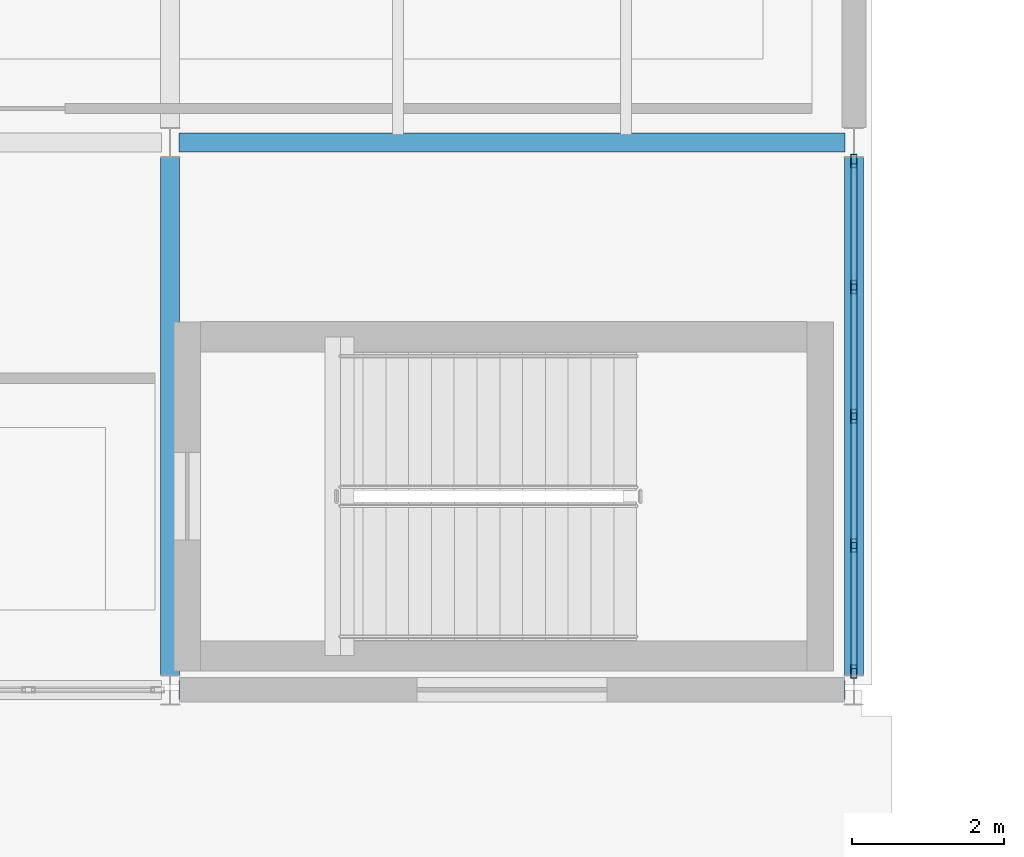
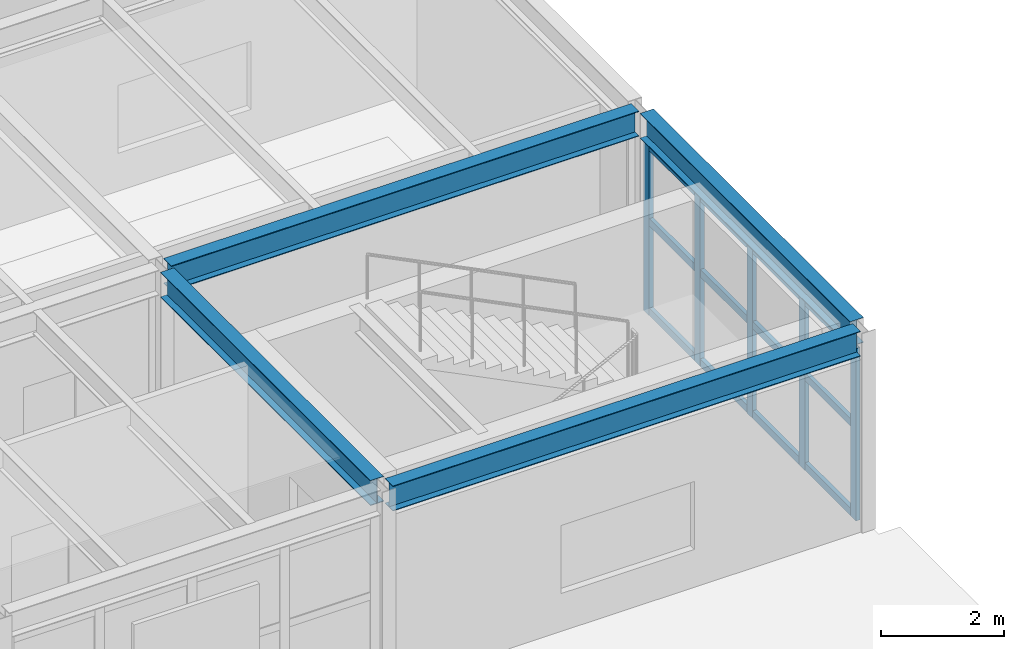
# One storey, part 20 of 37: 17 members, 4 beams, 1 element without a shape of its own.
"""IFC4 building model written with IfcOpenShell, lengths in metres."""

from ifc_helpers import new_model, si_unit, direction, frame, origin, origin_2d, place, context, subcontext, project, spatial, hollow_rectangle, i_section, extrude, material, layer, layer_set, material_profile, profile_set, type_object, element, aggregate, save


model = new_model("IFC4")

# Units and contexts
model_context = context("Model", 3, precision=1e-05, world=origin(), true_north=direction((0.0, 1.0)))
body_context = subcontext(model_context, "Body", "Model", "MODEL_VIEW")
ifc_project = project(units=[si_unit("LENGTHUNIT", "METRE"), si_unit("AREAUNIT", "SQUARE_METRE"), si_unit("VOLUMEUNIT", "CUBIC_METRE"), si_unit("PLANEANGLEUNIT", "RADIAN"), si_unit("MASSUNIT", "GRAM", prefix="KILO")], contexts=[model_context])

# Site, building, storey
site_placement = place(None, origin())
site = spatial("IfcSite", under=ifc_project, at=site_placement, CompositionType="ELEMENT")
building_placement = place(site_placement, origin())
building = spatial("IfcBuilding", under=site, at=building_placement, Name="Kandorven Conservatory and Botanical Research Centre", CompositionType="ELEMENT")
storey_placement = place(building_placement, frame((0.0, 0.0, 9.0)))
storey = spatial("IfcBuildingStorey", under=building, at=storey_placement, Name="L02", CompositionType="ELEMENT", Elevation=9.0)

# Beams
ifc_material_1 = material(Name="Steel S355 (IS 2062 E350)", Category="steel")
ifc_material_profile_1 = material_profile(ifc_material_1, i_section(OverallWidth=0.25, OverallDepth=0.5, WebThickness=0.010009765625, FlangeThickness=0.0146484375, at=origin_2d()))
ifc_profile_set_1 = profile_set([ifc_material_profile_1], Name="Steel S355 (IS 2062 E350)")
beam_type = type_object("IfcBeamType", Name="Beam_FG-02", PredefinedType="USERDEFINED", material=ifc_profile_set_1)
for number, where, z_axis, x_axis, name in (
    (1, (78.114990234375, 13.199951171875, 3.7099609375), (1.0, 0.0, 0.0), (0.0, 1.0, 0.0), "Primary girder FG-02 VIS L02"),
    (2, (78.114990234375, 20.39990234375, 3.7099609375), (1.0, 0.0, 0.0), (0.0, 1.0, 0.0), "Primary girder FG-02 VIS L02"),
):
    element("IfcBeam", number, at=place(storey_placement, frame(where, z_axis=z_axis, x_axis=x_axis)), inside=storey, type_object=beam_type, Name=name, ObjectType="GIRDER", PredefinedType="USERDEFINED", context=body_context, shape_type="SweptSolid", body=[
        extrude(i_section(OverallWidth=0.25, OverallDepth=0.5, WebThickness=0.010009765625, FlangeThickness=0.0146484375, at=origin_2d()), origin(), (0.0, 0.0, 1.0), 8.77001953125),
    ])
for number, where, z_axis, x_axis, name in (
    (3, (78.0, 13.389892578125, 3.7099609375), (0.0, 1.0, 0.0), (-1.0, 0.0, 0.0), "Primary girder FG-02 VIS L02"),
    (4, (87.0, 13.389892578125, 3.7099609375), (0.0, 1.0, 0.0), (-1.0, 0.0, 0.0), "Primary girder FG-02 VIS L02"),
):
    element("IfcBeam", number, at=place(storey_placement, frame(where, z_axis=z_axis, x_axis=x_axis)), inside=storey, type_object=beam_type, Name=name, ObjectType="GIRDER", PredefinedType="USERDEFINED", context=body_context, shape_type="SweptSolid", body=[
        extrude(i_section(OverallWidth=0.25, OverallDepth=0.5, WebThickness=0.010009765625, FlangeThickness=0.0146484375, at=origin_2d()), origin(), (0.0, 0.0, 1.0), 6.820068359375),
    ])

# Curtain wall, members
ifc_material_2 = material(Name="Bronze anodised thermally broken aluminium", Category="aluminium")
ifc_layer = layer(ifc_material_2, 0.179931640625)
ifc_layer_set = layer_set([ifc_layer], Name="Bronze anodised thermally broken aluminium")
curtain_wall_type = type_object("IfcCurtainWallType", Name="CW_Unitised", PredefinedType="USERDEFINED", material=ifc_layer_set)
curtain_wall_placement = place(storey_placement, origin())
curtain_wall = element("IfcCurtainWall", 5, at=curtain_wall_placement, inside=storey, type_object=curtain_wall_type, Name="Visitor wing east curtain wall CW-VIS-E-L02-1", ObjectType="UNITISED GLAZING", PredefinedType="USERDEFINED")
ifc_material_3 = material(Name="Bronze anodised thermally broken aluminium", Category="aluminium")
ifc_material_profile_2 = material_profile(ifc_material_3, hollow_rectangle(XDim=0.080078125, YDim=0.179931640625, WallThickness=0.006103515625, at=origin_2d()))
ifc_profile_set_2 = profile_set([ifc_material_profile_2], Name="Bronze anodised thermally broken aluminium")
member_type_1 = type_object("IfcMemberType", Name="CW_Mullion", PredefinedType="MULLION", material=ifc_profile_set_2)
member_1_placement = place(storey_placement, frame((87.0, 13.43994140625, 0.0), z_axis=(0.0, 0.0, 1.0), x_axis=(-1.0, 0.0, 0.0)))
member_1 = element("IfcMember", 6, at=member_1_placement, type_object=member_type_1, Name="CW-01 mullion 1", PredefinedType="MULLION", context=body_context, shape_type="SweptSolid", body=[
    extrude(hollow_rectangle(XDim=0.080078125, YDim=0.179931640625, WallThickness=0.006103515625, at=origin_2d()), origin(), (0.0, 0.0, 1.0), 3.419921875),
])
member_2_placement = place(storey_placement, frame((87.0, 15.10009765625, 0.0), z_axis=(0.0, 0.0, 1.0), x_axis=(-1.0, 0.0, 0.0)))
member_2 = element("IfcMember", 7, at=member_2_placement, type_object=member_type_1, Name="CW-01 mullion 2", PredefinedType="MULLION", context=body_context, shape_type="SweptSolid", body=[
    extrude(hollow_rectangle(XDim=0.080078125, YDim=0.179931640625, WallThickness=0.006103515625, at=origin_2d()), origin(), (0.0, 0.0, 1.0), 3.419921875),
])
member_3_placement = place(storey_placement, frame((87.0, 16.800048828125, 0.0), z_axis=(0.0, 0.0, 1.0), x_axis=(-1.0, 0.0, 0.0)))
member_3 = element("IfcMember", 8, at=member_3_placement, type_object=member_type_1, Name="CW-01 mullion 3", PredefinedType="MULLION", context=body_context, shape_type="SweptSolid", body=[
    extrude(hollow_rectangle(XDim=0.080078125, YDim=0.179931640625, WallThickness=0.006103515625, at=origin_2d()), origin(), (0.0, 0.0, 1.0), 3.419921875),
])
member_4_placement = place(storey_placement, frame((87.0, 18.5, 0.0), z_axis=(0.0, 0.0, 1.0), x_axis=(-1.0, 0.0, 0.0)))
member_4 = element("IfcMember", 9, at=member_4_placement, type_object=member_type_1, Name="CW-01 mullion 4", PredefinedType="MULLION", context=body_context, shape_type="SweptSolid", body=[
    extrude(hollow_rectangle(XDim=0.080078125, YDim=0.179931640625, WallThickness=0.006103515625, at=origin_2d()), origin(), (0.0, 0.0, 1.0), 3.419921875),
])
member_5_placement = place(storey_placement, frame((87.0, 20.159912109375, 0.0), z_axis=(0.0, 0.0, 1.0), x_axis=(-1.0, 0.0, 0.0)))
member_5 = element("IfcMember", 10, at=member_5_placement, type_object=member_type_1, Name="CW-01 mullion 5", PredefinedType="MULLION", context=body_context, shape_type="SweptSolid", body=[
    extrude(hollow_rectangle(XDim=0.080078125, YDim=0.179931640625, WallThickness=0.006103515625, at=origin_2d()), origin(), (0.0, 0.0, 1.0), 3.419921875),
])
ifc_material_4 = material(Name="Bronze anodised thermally broken aluminium", Category="aluminium")
ifc_material_profile_3 = material_profile(ifc_material_4, hollow_rectangle(XDim=0.074951171875, YDim=0.14990234375, WallThickness=0.006103515625, at=origin_2d()))
ifc_profile_set_3 = profile_set([ifc_material_profile_3], Name="Bronze anodised thermally broken aluminium")
member_type_2 = type_object("IfcMemberType", Name="CW_Transom", PredefinedType="USERDEFINED", material=ifc_profile_set_3)
member_6_placement = place(storey_placement, frame((87.0, 13.47998046875, 0.074951171875), z_axis=(0.0, 1.0, 0.0), x_axis=(-1.0, 0.0, 0.0)))
member_6 = element("IfcMember", 11, at=member_6_placement, type_object=member_type_2, Name="CW-01 transom 1.1", ObjectType="TRANSOM", PredefinedType="USERDEFINED", context=body_context, shape_type="SweptSolid", body=[
    extrude(hollow_rectangle(XDim=0.074951171875, YDim=0.14990234375, WallThickness=0.006103515625, at=origin_2d()), origin(), (0.0, 0.0, 1.0), 1.580078125),
])
member_7_placement = place(storey_placement, frame((87.0, 13.47998046875, 1.85009765625), z_axis=(0.0, 1.0, 0.0), x_axis=(-1.0, 0.0, 0.0)))
member_7 = element("IfcMember", 12, at=member_7_placement, type_object=member_type_2, Name="CW-01 transom 1.2", ObjectType="TRANSOM", PredefinedType="USERDEFINED", context=body_context, shape_type="SweptSolid", body=[
    extrude(hollow_rectangle(XDim=0.074951171875, YDim=0.14990234375, WallThickness=0.006103515625, at=origin_2d()), origin(), (0.0, 0.0, 1.0), 1.580078125),
])
member_8_placement = place(storey_placement, frame((87.0, 13.47998046875, 3.344970703125), z_axis=(0.0, 1.0, 0.0), x_axis=(-1.0, 0.0, 0.0)))
member_8 = element("IfcMember", 13, at=member_8_placement, type_object=member_type_2, Name="CW-01 transom 1.3", ObjectType="TRANSOM", PredefinedType="USERDEFINED", context=body_context, shape_type="SweptSolid", body=[
    extrude(hollow_rectangle(XDim=0.074951171875, YDim=0.14990234375, WallThickness=0.006103515625, at=origin_2d()), origin(), (0.0, 0.0, 1.0), 1.580078125),
])
member_9_placement = place(storey_placement, frame((87.0, 15.139892578125, 0.074951171875), z_axis=(0.0, 1.0, 0.0), x_axis=(-1.0, 0.0, 0.0)))
member_9 = element("IfcMember", 14, at=member_9_placement, type_object=member_type_2, Name="CW-01 transom 2.1", ObjectType="TRANSOM", PredefinedType="USERDEFINED", context=body_context, shape_type="SweptSolid", body=[
    extrude(hollow_rectangle(XDim=0.074951171875, YDim=0.14990234375, WallThickness=0.006103515625, at=origin_2d()), origin(), (0.0, 0.0, 1.0), 1.6201171875),
])
member_10_placement = place(storey_placement, frame((87.0, 15.139892578125, 1.85009765625), z_axis=(0.0, 1.0, 0.0), x_axis=(-1.0, 0.0, 0.0)))
member_10 = element("IfcMember", 15, at=member_10_placement, type_object=member_type_2, Name="CW-01 transom 2.2", ObjectType="TRANSOM", PredefinedType="USERDEFINED", context=body_context, shape_type="SweptSolid", body=[
    extrude(hollow_rectangle(XDim=0.074951171875, YDim=0.14990234375, WallThickness=0.006103515625, at=origin_2d()), origin(), (0.0, 0.0, 1.0), 1.6201171875),
])
member_11_placement = place(storey_placement, frame((87.0, 15.139892578125, 3.344970703125), z_axis=(0.0, 1.0, 0.0), x_axis=(-1.0, 0.0, 0.0)))
member_11 = element("IfcMember", 16, at=member_11_placement, type_object=member_type_2, Name="CW-01 transom 2.3", ObjectType="TRANSOM", PredefinedType="USERDEFINED", context=body_context, shape_type="SweptSolid", body=[
    extrude(hollow_rectangle(XDim=0.074951171875, YDim=0.14990234375, WallThickness=0.006103515625, at=origin_2d()), origin(), (0.0, 0.0, 1.0), 1.6201171875),
])
member_12_placement = place(storey_placement, frame((87.0, 16.840087890625, 0.074951171875), z_axis=(0.0, 1.0, 0.0), x_axis=(-1.0, 0.0, 0.0)))
member_12 = element("IfcMember", 17, at=member_12_placement, type_object=member_type_2, Name="CW-01 transom 3.1", ObjectType="TRANSOM", PredefinedType="USERDEFINED", context=body_context, shape_type="SweptSolid", body=[
    extrude(hollow_rectangle(XDim=0.074951171875, YDim=0.14990234375, WallThickness=0.006103515625, at=origin_2d()), origin(), (0.0, 0.0, 1.0), 1.619873046875),
])
member_13_placement = place(storey_placement, frame((87.0, 16.840087890625, 1.85009765625), z_axis=(0.0, 1.0, 0.0), x_axis=(-1.0, 0.0, 0.0)))
member_13 = element("IfcMember", 18, at=member_13_placement, type_object=member_type_2, Name="CW-01 transom 3.2", ObjectType="TRANSOM", PredefinedType="USERDEFINED", context=body_context, shape_type="SweptSolid", body=[
    extrude(hollow_rectangle(XDim=0.074951171875, YDim=0.14990234375, WallThickness=0.006103515625, at=origin_2d()), origin(), (0.0, 0.0, 1.0), 1.619873046875),
])
member_14_placement = place(storey_placement, frame((87.0, 16.840087890625, 3.344970703125), z_axis=(0.0, 1.0, 0.0), x_axis=(-1.0, 0.0, 0.0)))
member_14 = element("IfcMember", 19, at=member_14_placement, type_object=member_type_2, Name="CW-01 transom 3.3", ObjectType="TRANSOM", PredefinedType="USERDEFINED", context=body_context, shape_type="SweptSolid", body=[
    extrude(hollow_rectangle(XDim=0.074951171875, YDim=0.14990234375, WallThickness=0.006103515625, at=origin_2d()), origin(), (0.0, 0.0, 1.0), 1.619873046875),
])
member_15_placement = place(storey_placement, frame((87.0, 18.5400390625, 0.074951171875), z_axis=(0.0, 1.0, 0.0), x_axis=(-1.0, 0.0, 0.0)))
member_15 = element("IfcMember", 20, at=member_15_placement, type_object=member_type_2, Name="CW-01 transom 4.1", ObjectType="TRANSOM", PredefinedType="USERDEFINED", context=body_context, shape_type="SweptSolid", body=[
    extrude(hollow_rectangle(XDim=0.074951171875, YDim=0.14990234375, WallThickness=0.006103515625, at=origin_2d()), origin(), (0.0, 0.0, 1.0), 1.580078125),
])
member_16_placement = place(storey_placement, frame((87.0, 18.5400390625, 1.85009765625), z_axis=(0.0, 1.0, 0.0), x_axis=(-1.0, 0.0, 0.0)))
member_16 = element("IfcMember", 21, at=member_16_placement, type_object=member_type_2, Name="CW-01 transom 4.2", ObjectType="TRANSOM", PredefinedType="USERDEFINED", context=body_context, shape_type="SweptSolid", body=[
    extrude(hollow_rectangle(XDim=0.074951171875, YDim=0.14990234375, WallThickness=0.006103515625, at=origin_2d()), origin(), (0.0, 0.0, 1.0), 1.580078125),
])
member_17_placement = place(storey_placement, frame((87.0, 18.5400390625, 3.344970703125), z_axis=(0.0, 1.0, 0.0), x_axis=(-1.0, 0.0, 0.0)))
member_17 = element("IfcMember", 22, at=member_17_placement, type_object=member_type_2, Name="CW-01 transom 4.3", ObjectType="TRANSOM", PredefinedType="USERDEFINED", context=body_context, shape_type="SweptSolid", body=[
    extrude(hollow_rectangle(XDim=0.074951171875, YDim=0.14990234375, WallThickness=0.006103515625, at=origin_2d()), origin(), (0.0, 0.0, 1.0), 1.580078125),
])
aggregate(curtain_wall, [member_1, member_2, member_3, member_4, member_5, member_6, member_7, member_8, member_9, member_10, member_11, member_12, member_13, member_14, member_15, member_16, member_17])

save(model, "model.ifc")
